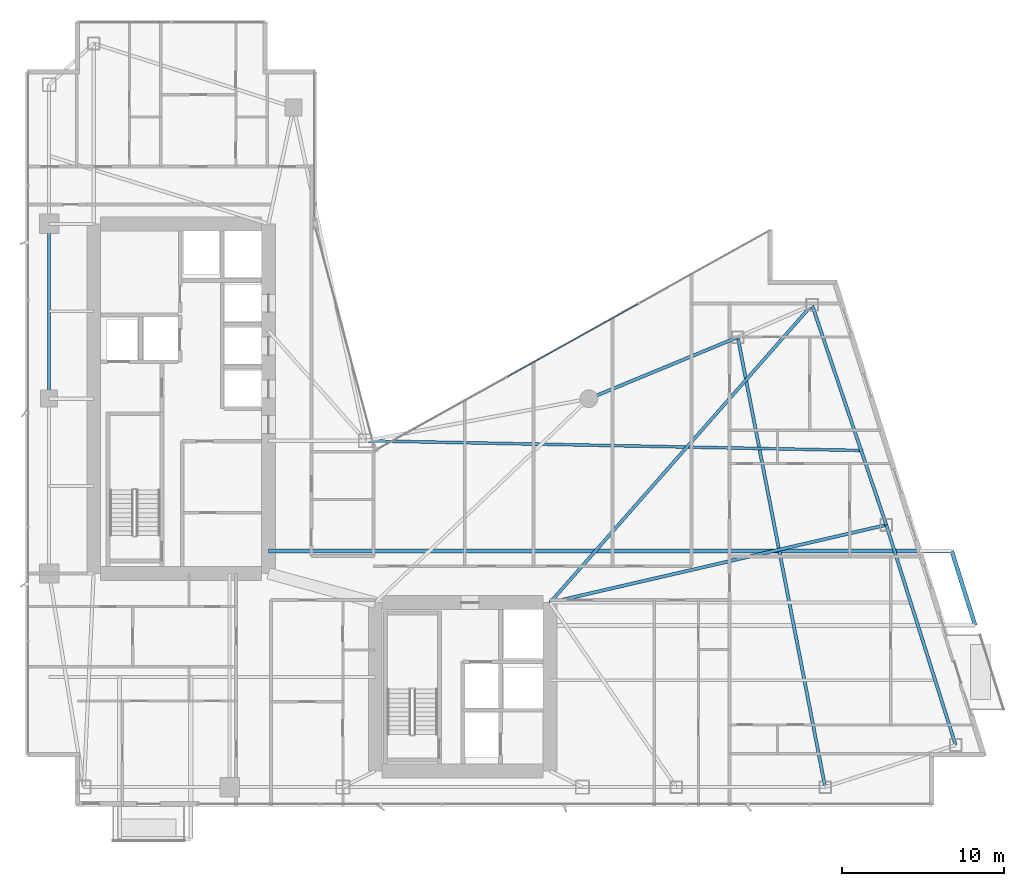
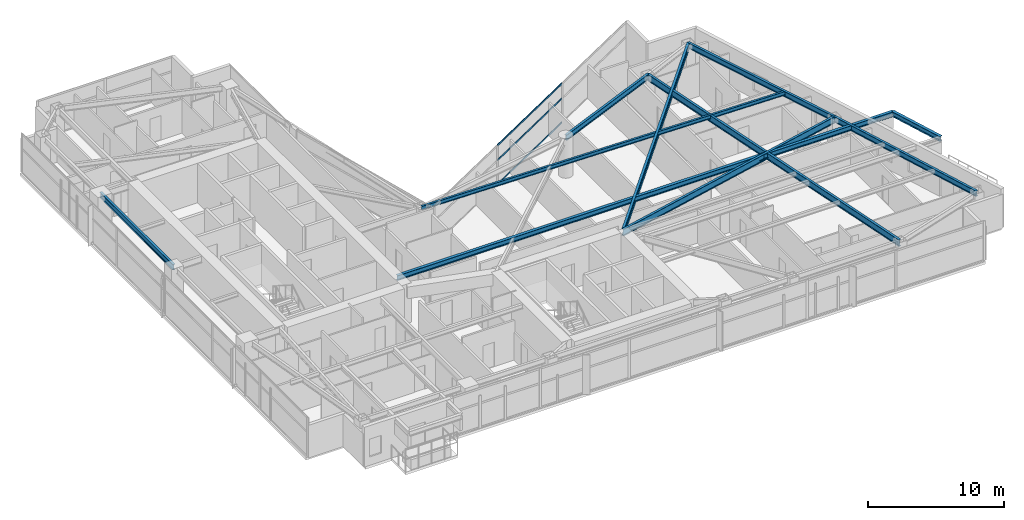
# One storey, part 15 of 29: 10 beams, 3 members, 1 element without a shape of its own.
"""IFC4 building model written with IfcOpenShell, lengths in metres."""

from ifc_helpers import new_model, si_unit, direction, frame, origin, origin_2d, place, context, subcontext, project, spatial, hollow_rectangle, i_section, extrude, material, layer, layer_set, material_profile, profile_set, type_object, element, aggregate, save


model = new_model("IFC4")

# Units and contexts
model_context = context("Model", 3, precision=1e-05, world=origin(), true_north=direction((0.0, 1.0)))
body_context = subcontext(model_context, "Body", "Model", "MODEL_VIEW")
ifc_project = project(units=[si_unit("LENGTHUNIT", "METRE"), si_unit("AREAUNIT", "SQUARE_METRE"), si_unit("VOLUMEUNIT", "CUBIC_METRE"), si_unit("PLANEANGLEUNIT", "RADIAN"), si_unit("MASSUNIT", "GRAM", prefix="KILO")], contexts=[model_context])

# Site, building, storey
site_placement = place(None, origin())
site = spatial("IfcSite", under=ifc_project, at=site_placement, CompositionType="ELEMENT")
building_placement = place(site_placement, origin())
building = spatial("IfcBuilding", under=site, at=building_placement, Name="Calvorn Quay Hotel", CompositionType="ELEMENT")
storey_placement = place(building_placement, frame((0.0, 0.0, 148.5)))
storey = spatial("IfcBuildingStorey", under=building, at=storey_placement, Name="L36", CompositionType="ELEMENT", Elevation=148.5)

# Beams
ifc_material_1 = material(Name="Steel Q355B", Category="steel")
ifc_material_profile_1 = material_profile(ifc_material_1, i_section(OverallWidth=0.25, OverallDepth=0.449951171875, WebThickness=0.011962890625, FlangeThickness=0.01611328125, FilletRadius=0.01611328125, at=origin_2d()), Name="HN450x250x12x16")
ifc_profile_set_1 = profile_set([ifc_material_profile_1], Name="Steel Q355B")
beam_type_1 = type_object("IfcBeamType", Name="BM-CANT-BALC", PredefinedType="BEAM", material=ifc_profile_set_1)
beam_1_placement = place(storey_placement, frame((15.0, 18.199951171875, 3.31494140625), z_axis=(1.0, 0.0, 0.0), x_axis=(0.0, 1.0, 0.0)))
element("IfcBeam", 1, at=beam_1_placement, inside=storey, type_object=beam_type_1, Name="Cantilever Balcony Beam BCB-L37-1B", PredefinedType="BEAM", context=body_context, shape_type="SweptSolid", body=[
    extrude(i_section(OverallWidth=0.25, OverallDepth=0.449951171875, WebThickness=0.011962890625, FlangeThickness=0.01611328125, FilletRadius=0.01611328125, at=origin_2d()), origin(), (0.0, 0.0, 1.0), 42.219970703125),
])
beam_2_placement = place(storey_placement, frame((58.6689453125, 13.60009765625, 3.31494140625), z_axis=(-0.300450487966, 0.953797412599, 0.0), x_axis=(-0.953797412599, -0.300450487966, 0.0)))
element("IfcBeam", 2, at=beam_2_placement, inside=storey, type_object=beam_type_1, Name="Beam BCBO-L37-1", PredefinedType="BEAM", context=body_context, shape_type="SweptSolid", body=[
    extrude(i_section(OverallWidth=0.25, OverallDepth=0.449951171875, WebThickness=0.011962890625, FlangeThickness=0.01611328125, FilletRadius=0.01611328125, at=origin_2d()), origin(), (0.0, 0.0, 1.0), 4.82275390625),
])
ifc_material_2 = material(Name="Steel Q355B", Category="steel")
ifc_material_profile_2 = material_profile(ifc_material_2, i_section(OverallWidth=0.199951171875, OverallDepth=0.60009765625, WebThickness=0.010986328125, FlangeThickness=0.01708984375, FilletRadius=0.01806640625, at=origin_2d()), Name="HN600x200x11x17")
ifc_profile_set_2 = profile_set([ifc_material_profile_2], Name="Steel Q355B")
beam_type_2 = type_object("IfcBeamType", Name="BM-GIRD-TYP", PredefinedType="BEAM", material=ifc_profile_set_2)
beam_3_placement = place(storey_placement, frame((32.39990234375, 15.0, 3.239990234375), z_axis=(0.974334045812, 0.225107012711, 0.0), x_axis=(-0.225107012711, 0.974334045812, 0.0)))
element("IfcBeam", 3, at=beam_3_placement, inside=storey, type_object=beam_type_2, Name="Beam BG-L36-E2", PredefinedType="BEAM", context=body_context, shape_type="SweptSolid", body=[
    extrude(i_section(OverallWidth=0.199951171875, OverallDepth=0.60009765625, WebThickness=0.010986328125, FlangeThickness=0.01708984375, FilletRadius=0.01806640625, at=origin_2d()), origin(), (0.0, 0.0, 1.0), 21.323486328125),
])
beam_4_placement = place(storey_placement, frame((32.39990234375, 15.0, 3.239990234375), z_axis=(0.660610604248, 0.750728732336, 0.0), x_axis=(-0.750728732336, 0.660610604248, 0.0)))
element("IfcBeam", 4, at=beam_4_placement, inside=storey, type_object=beam_type_2, Name="Beam BG-L36-E3", PredefinedType="BEAM", context=body_context, shape_type="SweptSolid", body=[
    extrude(i_section(OverallWidth=0.199951171875, OverallDepth=0.60009765625, WebThickness=0.010986328125, FlangeThickness=0.01708984375, FilletRadius=0.01806640625, at=origin_2d()), origin(), (0.0, 0.0, 1.0), 24.50927734375),
])
beam_5_placement = place(storey_placement, frame((49.39990234375, 3.60009765625, 3.239990234375), z_axis=(-0.190678596862, 0.981652521363, 0.0), x_axis=(-0.981652521363, -0.190678596862, 0.0)))
element("IfcBeam", 5, at=beam_5_placement, inside=storey, type_object=beam_type_2, Name="Beam BG-L36-E5", PredefinedType="BEAM", context=body_context, shape_type="SweptSolid", body=[
    extrude(i_section(OverallWidth=0.199951171875, OverallDepth=0.60009765625, WebThickness=0.010986328125, FlangeThickness=0.01708984375, FilletRadius=0.01806640625, at=origin_2d()), origin(), (0.0, 0.0, 1.0), 28.3193359375),
])
ifc_material_3 = material(Name="Steel Q355B", Category="steel")
ifc_material_profile_3 = material_profile(ifc_material_3, i_section(OverallWidth=0.175048828125, OverallDepth=0.35009765625, WebThickness=0.007080078125, FlangeThickness=0.010986328125, FilletRadius=0.013916015625, at=origin_2d()), Name="HN350x175x7x11")
ifc_profile_set_3 = profile_set([ifc_material_profile_3], Name="Steel Q355B")
beam_type_3 = type_object("IfcBeamType", Name="BM-JOIST-SEC", PredefinedType="JOIST", material=ifc_profile_set_3)
beam_6_placement = place(storey_placement, frame((21.0, 25.0, 3.364990234375), z_axis=(0.999809345134, -0.019526222968, 0.0), x_axis=(0.019526222968, 0.999809345134, 0.0)))
element("IfcBeam", 6, at=beam_6_placement, inside=storey, type_object=beam_type_3, Name="Beam BJ-L36-E3", PredefinedType="JOIST", context=body_context, shape_type="SweptSolid", body=[
    extrude(i_section(OverallWidth=0.175048828125, OverallDepth=0.35009765625, WebThickness=0.007080078125, FlangeThickness=0.010986328125, FilletRadius=0.013916015625, at=origin_2d()), origin(), (0.0, 0.0, 1.0), 30.73291015625),
])
ifc_material_4 = material(Name="Steel Q355B", Category="steel")
ifc_material_profile_4 = material_profile(ifc_material_4, i_section(OverallWidth=0.199951171875, OverallDepth=0.5, WebThickness=0.010009765625, FlangeThickness=0.01611328125, FilletRadius=0.01611328125, at=origin_2d()), Name="HN500x200x10x16")
ifc_profile_set_4 = profile_set([ifc_material_profile_4], Name="Steel Q355B")
beam_type_4 = type_object("IfcBeamType", Name="BM-SPANDREL-Z1", PredefinedType="SPANDREL", material=ifc_profile_set_4)
beam_7_placement = place(storey_placement, frame((1.449951171875, 27.60009765625, 3.2900390625), z_axis=(0.0, 1.0, 0.0), x_axis=(-1.0, 0.0, 0.0)))
element("IfcBeam", 7, at=beam_7_placement, inside=storey, type_object=beam_type_4, Name="Beam BSP-L36-W3", PredefinedType="SPANDREL", context=body_context, shape_type="SweptSolid", body=[
    extrude(i_section(OverallWidth=0.199951171875, OverallDepth=0.5, WebThickness=0.010009765625, FlangeThickness=0.01611328125, FilletRadius=0.01611328125, at=origin_2d()), origin(), (0.0, 0.0, 1.0), 10.7998046875),
])
beam_8_placement = place(storey_placement, frame((57.4609375, 6.199951171875, 3.2900390625), z_axis=(-0.300502802767, 0.953780931624, 0.0), x_axis=(-0.953780931624, -0.300502802767, 0.0)))
element("IfcBeam", 8, at=beam_8_placement, inside=storey, type_object=beam_type_4, Name="Beam BSP-L36-E1", PredefinedType="SPANDREL", context=body_context, shape_type="SweptSolid", body=[
    extrude(i_section(OverallWidth=0.199951171875, OverallDepth=0.5, WebThickness=0.010009765625, FlangeThickness=0.01611328125, FilletRadius=0.01611328125, at=origin_2d()), origin(), (0.0, 0.0, 1.0), 14.259033203125),
])
beam_9_placement = place(storey_placement, frame((53.176025390625, 19.800048828125, 3.2900390625), z_axis=(-0.319466515944, 0.947597564998, 0.0), x_axis=(-0.947597564998, -0.319466515944, 0.0)))
element("IfcBeam", 9, at=beam_9_placement, inside=storey, type_object=beam_type_4, Name="Beam BSP-L36-E2", PredefinedType="SPANDREL", context=body_context, shape_type="SweptSolid", body=[
    extrude(i_section(OverallWidth=0.199951171875, OverallDepth=0.5, WebThickness=0.010009765625, FlangeThickness=0.01611328125, FilletRadius=0.01611328125, at=origin_2d()), origin(), (0.0, 0.0, 1.0), 14.35205078125),
])
beam_10_placement = place(storey_placement, frame((44.0, 31.39990234375, 3.2900390625), z_axis=(-0.92426763497, -0.381745123017, 0.0), x_axis=(0.381745123017, -0.92426763497, 0.0)))
element("IfcBeam", 10, at=beam_10_placement, inside=storey, type_object=beam_type_4, Name="Beam BSP-L36-E4", PredefinedType="SPANDREL", context=body_context, shape_type="SweptSolid", body=[
    extrude(i_section(OverallWidth=0.199951171875, OverallDepth=0.5, WebThickness=0.010009765625, FlangeThickness=0.01611328125, FilletRadius=0.01611328125, at=origin_2d()), origin(), (0.0, 0.0, 1.0), 9.953857421875),
])

# Curtain wall, members
ifc_material_5 = material(Name="Pale Anodised Aluminium and Low-E Glass", Category="aluminium")
ifc_layer = layer(ifc_material_5, 0.219970703125)
ifc_layer_set = layer_set([ifc_layer], Name="CW-SYS-Z2")
curtain_wall_type = type_object("IfcCurtainWallType", Name="CW-SYS-Z2", PredefinedType="NOTDEFINED", material=ifc_layer_set)
curtain_wall_placement = place(storey_placement, origin())
curtain_wall = element("IfcCurtainWall", 11, at=curtain_wall_placement, inside=storey, type_object=curtain_wall_type, Name="Inner Court Curtain Wall L36-NE1", PredefinedType="NOTDEFINED")
ifc_material_6 = material(Name="Pale Anodised Aluminium 6063-T6", Category="aluminium")
ifc_material_profile_5 = material_profile(ifc_material_6, hollow_rectangle(XDim=0.06005859375, YDim=0.14990234375, WallThickness=0.00341796875, at=origin_2d()), Name="ALU-T150x60x3.5")
ifc_profile_set_5 = profile_set([ifc_material_profile_5], Name="Pale Anodised Aluminium 6063-T6")
member_type = type_object("IfcMemberType", Name="CW-SYS-Z2-TRN", PredefinedType="USERDEFINED", material=ifc_profile_set_5)
member_1_placement = place(storey_placement, frame((37.840576171875, 33.4521484375, 0.030029296875), z_axis=(-0.873483012802, -0.486854625474, 0.0), x_axis=(0.486854625474, -0.873483012802, 0.0)))
member_1 = element("IfcMember", 12, at=member_1_placement, type_object=member_type, Name="CW-L36-NE1 transom 2.1", ObjectType="TRANSOM", PredefinedType="USERDEFINED", context=body_context, shape_type="SweptSolid", body=[
    extrude(hollow_rectangle(XDim=0.06005859375, YDim=0.14990234375, WallThickness=0.00341796875, at=origin_2d()), origin(), (0.0, 0.0, 1.0), 9.25146484375),
])
member_2_placement = place(storey_placement, frame((37.840576171875, 33.4521484375, 2.199951171875), z_axis=(-0.873483012802, -0.486854625474, 0.0), x_axis=(0.486854625474, -0.873483012802, 0.0)))
member_2 = element("IfcMember", 13, at=member_2_placement, type_object=member_type, Name="CW-L36-NE1 transom 2.2", ObjectType="TRANSOM", PredefinedType="USERDEFINED", context=body_context, shape_type="SweptSolid", body=[
    extrude(hollow_rectangle(XDim=0.06005859375, YDim=0.14990234375, WallThickness=0.00341796875, at=origin_2d()), origin(), (0.0, 0.0, 1.0), 9.25146484375),
])
member_3_placement = place(storey_placement, frame((37.840576171875, 33.4521484375, 3.530029296875), z_axis=(-0.873483012802, -0.486854625474, 0.0), x_axis=(0.486854625474, -0.873483012802, 0.0)))
member_3 = element("IfcMember", 14, at=member_3_placement, type_object=member_type, Name="CW-L36-NE1 transom 2.3", ObjectType="TRANSOM", PredefinedType="USERDEFINED", context=body_context, shape_type="SweptSolid", body=[
    extrude(hollow_rectangle(XDim=0.06005859375, YDim=0.14990234375, WallThickness=0.00341796875, at=origin_2d()), origin(), (0.0, 0.0, 1.0), 9.25146484375),
])
aggregate(curtain_wall, [member_1, member_2, member_3])

save(model, "model.ifc")
